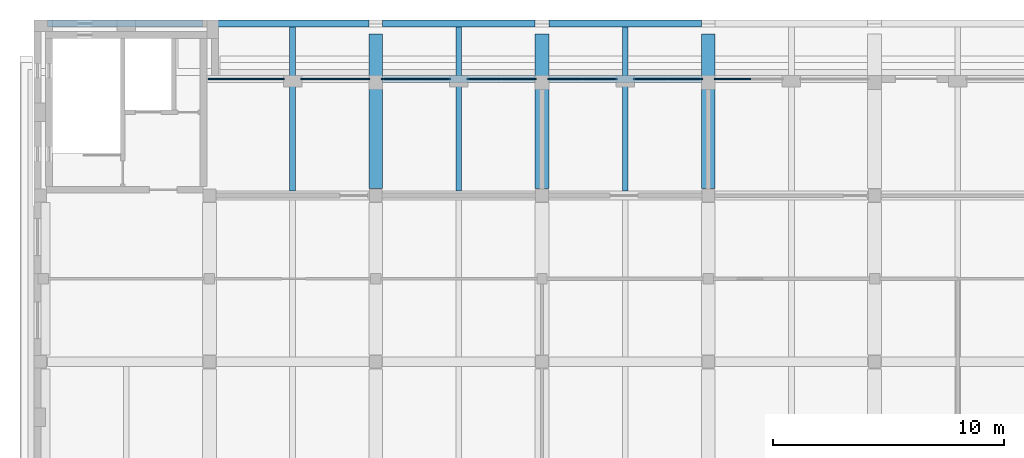
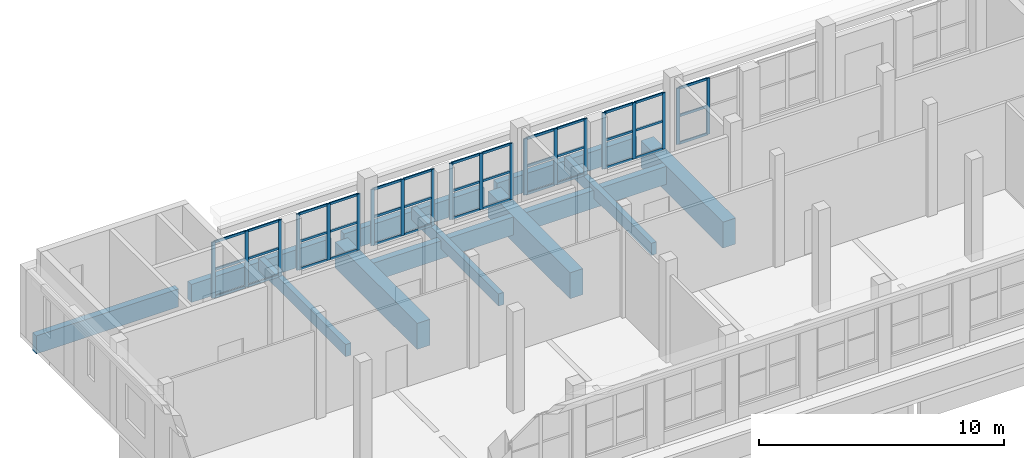
# One storey, part 4 of 30: 59 members, 12 beams, 7 elements without a shape of their own.
"""IFC4 building model written with IfcOpenShell, lengths in metres."""

from ifc_helpers import new_model, si_unit, direction, frame, origin, origin_2d, place, context, subcontext, project, spatial, rectangle, extrude, material, layer, layer_set, material_profile, profile_set, type_object, element, aggregate, save


model = new_model("IFC4")

# Units and contexts
model_context = context("Model", 3, precision=1e-05, world=origin(), true_north=direction((0.0, 1.0)))
body_context = subcontext(model_context, "Body", "Model", "MODEL_VIEW")
ifc_project = project(units=[si_unit("LENGTHUNIT", "METRE"), si_unit("AREAUNIT", "SQUARE_METRE"), si_unit("VOLUMEUNIT", "CUBIC_METRE"), si_unit("PLANEANGLEUNIT", "RADIAN"), si_unit("MASSUNIT", "GRAM", prefix="KILO")], contexts=[model_context])

# Site, building, storey
site_placement = place(None, origin())
site = spatial("IfcSite", under=ifc_project, at=site_placement, CompositionType="ELEMENT")
building_placement = place(site_placement, origin())
building = spatial("IfcBuilding", under=site, at=building_placement, Name="Ussher Court Research Institute", CompositionType="ELEMENT")
storey_placement = place(building_placement, frame((0.0, 0.0, 27.89990234375)))
storey = spatial("IfcBuildingStorey", under=building, at=storey_placement, Name="L06", CompositionType="ELEMENT", Elevation=27.89990234375)

# Curtain wall, members
ifc_material_1 = material(Name="Bronze anodised aluminium with insulated low-e glass", Category="aluminium")
ifc_layer = layer(ifc_material_1, 0.1201171875)
ifc_layer_set = layer_set([ifc_layer], Name="Bronze anodised aluminium with insulated low-e glass")
curtain_wall_type = type_object("IfcCurtainWallType", Name="Curtain wall attic gallery glazing", PredefinedType="NOTDEFINED", material=ifc_layer_set)
curtain_wall_1_placement = place(storey_placement, origin())
curtain_wall_1 = element("IfcCurtainWall", 1, at=curtain_wall_1_placement, inside=storey, type_object=curtain_wall_type, Name="Curtain wall CW11 L06", PredefinedType="NOTDEFINED")
ifc_material_2 = material(Name="Bronze anodised aluminium", Category="aluminium")
ifc_material_profile_1 = material_profile(ifc_material_2, rectangle(XDim=0.06005859375, YDim=0.159912109375, at=origin_2d()), Name="Mullion 60x160")
ifc_profile_set_1 = profile_set([ifc_material_profile_1], Name="Bronze anodised aluminium")
member_type_1 = type_object("IfcMemberType", Name="Mullion 60x160", PredefinedType="MULLION", material=ifc_profile_set_1)
member_1_placement = place(storey_placement, frame((10.22998046875, 88.25, 0.60009765625), z_axis=(0.0, 0.0, 1.0), x_axis=(0.0, 1.0, 0.0)))
member_1 = element("IfcMember", 2, at=member_1_placement, type_object=member_type_1, Name="CW11 mullion 1", PredefinedType="MULLION", context=body_context, shape_type="SweptSolid", body=[
    extrude(rectangle(XDim=0.06005859375, YDim=0.159912109375, at=origin_2d()), origin(), (0.0, 0.0, 1.0), 2.800048828125),
])
member_2_placement = place(storey_placement, frame((11.800048828125, 88.25, 0.60009765625), z_axis=(0.0, 0.0, 1.0), x_axis=(0.0, 1.0, 0.0)))
member_2 = element("IfcMember", 3, at=member_2_placement, type_object=member_type_1, Name="CW11 mullion 2", PredefinedType="MULLION", context=body_context, shape_type="SweptSolid", body=[
    extrude(rectangle(XDim=0.06005859375, YDim=0.159912109375, at=origin_2d()), origin(), (0.0, 0.0, 1.0), 2.800048828125),
])
member_3_placement = place(storey_placement, frame((13.3701171875, 88.25, 0.60009765625), z_axis=(0.0, 0.0, 1.0), x_axis=(0.0, 1.0, 0.0)))
member_3 = element("IfcMember", 4, at=member_3_placement, type_object=member_type_1, Name="CW11 mullion 3", PredefinedType="MULLION", context=body_context, shape_type="SweptSolid", body=[
    extrude(rectangle(XDim=0.06005859375, YDim=0.159912109375, at=origin_2d()), origin(), (0.0, 0.0, 1.0), 2.800048828125),
])

curtain_wall_2_placement = place(storey_placement, origin())
curtain_wall_2 = element("IfcCurtainWall", 5, at=curtain_wall_2_placement, inside=storey, type_object=curtain_wall_type, Name="Curtain wall CW11 L06", PredefinedType="NOTDEFINED")
member_4_placement = place(storey_placement, frame((14.22998046875, 88.25, 0.60009765625), z_axis=(0.0, 0.0, 1.0), x_axis=(0.0, 1.0, 0.0)))
member_4 = element("IfcMember", 6, at=member_4_placement, type_object=member_type_1, Name="CW11 mullion 1", PredefinedType="MULLION", context=body_context, shape_type="SweptSolid", body=[
    extrude(rectangle(XDim=0.06005859375, YDim=0.159912109375, at=origin_2d()), origin(), (0.0, 0.0, 1.0), 2.800048828125),
])
member_5_placement = place(storey_placement, frame((15.64990234375, 88.25, 0.60009765625), z_axis=(0.0, 0.0, 1.0), x_axis=(0.0, 1.0, 0.0)))
member_5 = element("IfcMember", 7, at=member_5_placement, type_object=member_type_1, Name="CW11 mullion 2", PredefinedType="MULLION", context=body_context, shape_type="SweptSolid", body=[
    extrude(rectangle(XDim=0.06005859375, YDim=0.159912109375, at=origin_2d()), origin(), (0.0, 0.0, 1.0), 2.800048828125),
])
member_6_placement = place(storey_placement, frame((17.070068359375, 88.25, 0.60009765625), z_axis=(0.0, 0.0, 1.0), x_axis=(0.0, 1.0, 0.0)))
member_6 = element("IfcMember", 8, at=member_6_placement, type_object=member_type_1, Name="CW11 mullion 3", PredefinedType="MULLION", context=body_context, shape_type="SweptSolid", body=[
    extrude(rectangle(XDim=0.06005859375, YDim=0.159912109375, at=origin_2d()), origin(), (0.0, 0.0, 1.0), 2.800048828125),
])

curtain_wall_3_placement = place(storey_placement, origin())
curtain_wall_3 = element("IfcCurtainWall", 9, at=curtain_wall_3_placement, inside=storey, type_object=curtain_wall_type, Name="Curtain wall CW11 L06", PredefinedType="NOTDEFINED")
member_7_placement = place(storey_placement, frame((17.72998046875, 88.25, 0.60009765625), z_axis=(0.0, 0.0, 1.0), x_axis=(0.0, 1.0, 0.0)))
member_7 = element("IfcMember", 10, at=member_7_placement, type_object=member_type_1, Name="CW11 mullion 1", PredefinedType="MULLION", context=body_context, shape_type="SweptSolid", body=[
    extrude(rectangle(XDim=0.06005859375, YDim=0.159912109375, at=origin_2d()), origin(), (0.0, 0.0, 1.0), 2.800048828125),
])
member_8_placement = place(storey_placement, frame((19.14990234375, 88.25, 0.60009765625), z_axis=(0.0, 0.0, 1.0), x_axis=(0.0, 1.0, 0.0)))
member_8 = element("IfcMember", 11, at=member_8_placement, type_object=member_type_1, Name="CW11 mullion 2", PredefinedType="MULLION", context=body_context, shape_type="SweptSolid", body=[
    extrude(rectangle(XDim=0.06005859375, YDim=0.159912109375, at=origin_2d()), origin(), (0.0, 0.0, 1.0), 2.800048828125),
])
member_9_placement = place(storey_placement, frame((20.570068359375, 88.25, 0.60009765625), z_axis=(0.0, 0.0, 1.0), x_axis=(0.0, 1.0, 0.0)))
member_9 = element("IfcMember", 12, at=member_9_placement, type_object=member_type_1, Name="CW11 mullion 3", PredefinedType="MULLION", context=body_context, shape_type="SweptSolid", body=[
    extrude(rectangle(XDim=0.06005859375, YDim=0.159912109375, at=origin_2d()), origin(), (0.0, 0.0, 1.0), 2.800048828125),
])

curtain_wall_4_placement = place(storey_placement, origin())
curtain_wall_4 = element("IfcCurtainWall", 13, at=curtain_wall_4_placement, inside=storey, type_object=curtain_wall_type, Name="Curtain wall CW11 L06", PredefinedType="NOTDEFINED")
member_10_placement = place(storey_placement, frame((21.429931640625, 88.25, 0.60009765625), z_axis=(0.0, 0.0, 1.0), x_axis=(0.0, 1.0, 0.0)))
member_10 = element("IfcMember", 14, at=member_10_placement, type_object=member_type_1, Name="CW11 mullion 1", PredefinedType="MULLION", context=body_context, shape_type="SweptSolid", body=[
    extrude(rectangle(XDim=0.06005859375, YDim=0.159912109375, at=origin_2d()), origin(), (0.0, 0.0, 1.0), 2.800048828125),
])
member_11_placement = place(storey_placement, frame((22.85009765625, 88.25, 0.60009765625), z_axis=(0.0, 0.0, 1.0), x_axis=(0.0, 1.0, 0.0)))
member_11 = element("IfcMember", 15, at=member_11_placement, type_object=member_type_1, Name="CW11 mullion 2", PredefinedType="MULLION", context=body_context, shape_type="SweptSolid", body=[
    extrude(rectangle(XDim=0.06005859375, YDim=0.159912109375, at=origin_2d()), origin(), (0.0, 0.0, 1.0), 2.800048828125),
])
member_12_placement = place(storey_placement, frame((24.27001953125, 88.25, 0.60009765625), z_axis=(0.0, 0.0, 1.0), x_axis=(0.0, 1.0, 0.0)))
member_12 = element("IfcMember", 16, at=member_12_placement, type_object=member_type_1, Name="CW11 mullion 3", PredefinedType="MULLION", context=body_context, shape_type="SweptSolid", body=[
    extrude(rectangle(XDim=0.06005859375, YDim=0.159912109375, at=origin_2d()), origin(), (0.0, 0.0, 1.0), 2.800048828125),
])

curtain_wall_5_placement = place(storey_placement, origin())
curtain_wall_5 = element("IfcCurtainWall", 17, at=curtain_wall_5_placement, inside=storey, type_object=curtain_wall_type, Name="Curtain wall CW11 L06", PredefinedType="NOTDEFINED")
member_13_placement = place(storey_placement, frame((24.929931640625, 88.25, 0.60009765625), z_axis=(0.0, 0.0, 1.0), x_axis=(0.0, 1.0, 0.0)))
member_13 = element("IfcMember", 18, at=member_13_placement, type_object=member_type_1, Name="CW11 mullion 1", PredefinedType="MULLION", context=body_context, shape_type="SweptSolid", body=[
    extrude(rectangle(XDim=0.06005859375, YDim=0.159912109375, at=origin_2d()), origin(), (0.0, 0.0, 1.0), 2.800048828125),
])
member_14_placement = place(storey_placement, frame((26.35009765625, 88.25, 0.60009765625), z_axis=(0.0, 0.0, 1.0), x_axis=(0.0, 1.0, 0.0)))
member_14 = element("IfcMember", 19, at=member_14_placement, type_object=member_type_1, Name="CW11 mullion 2", PredefinedType="MULLION", context=body_context, shape_type="SweptSolid", body=[
    extrude(rectangle(XDim=0.06005859375, YDim=0.159912109375, at=origin_2d()), origin(), (0.0, 0.0, 1.0), 2.800048828125),
])
member_15_placement = place(storey_placement, frame((27.77001953125, 88.25, 0.60009765625), z_axis=(0.0, 0.0, 1.0), x_axis=(0.0, 1.0, 0.0)))
member_15 = element("IfcMember", 20, at=member_15_placement, type_object=member_type_1, Name="CW11 mullion 3", PredefinedType="MULLION", context=body_context, shape_type="SweptSolid", body=[
    extrude(rectangle(XDim=0.06005859375, YDim=0.159912109375, at=origin_2d()), origin(), (0.0, 0.0, 1.0), 2.800048828125),
])

curtain_wall_6_placement = place(storey_placement, origin())
curtain_wall_6 = element("IfcCurtainWall", 21, at=curtain_wall_6_placement, inside=storey, type_object=curtain_wall_type, Name="Curtain wall CW11 L06", PredefinedType="NOTDEFINED")
member_16_placement = place(storey_placement, frame((28.6298828125, 88.25, 0.60009765625), z_axis=(0.0, 0.0, 1.0), x_axis=(0.0, 1.0, 0.0)))
member_16 = element("IfcMember", 22, at=member_16_placement, type_object=member_type_1, Name="CW11 mullion 1", PredefinedType="MULLION", context=body_context, shape_type="SweptSolid", body=[
    extrude(rectangle(XDim=0.06005859375, YDim=0.159912109375, at=origin_2d()), origin(), (0.0, 0.0, 1.0), 2.800048828125),
])
member_17_placement = place(storey_placement, frame((30.050048828125, 88.25, 0.60009765625), z_axis=(0.0, 0.0, 1.0), x_axis=(0.0, 1.0, 0.0)))
member_17 = element("IfcMember", 23, at=member_17_placement, type_object=member_type_1, Name="CW11 mullion 2", PredefinedType="MULLION", context=body_context, shape_type="SweptSolid", body=[
    extrude(rectangle(XDim=0.06005859375, YDim=0.159912109375, at=origin_2d()), origin(), (0.0, 0.0, 1.0), 2.800048828125),
])
member_18_placement = place(storey_placement, frame((31.469970703125, 88.25, 0.60009765625), z_axis=(0.0, 0.0, 1.0), x_axis=(0.0, 1.0, 0.0)))
member_18 = element("IfcMember", 24, at=member_18_placement, type_object=member_type_1, Name="CW11 mullion 3", PredefinedType="MULLION", context=body_context, shape_type="SweptSolid", body=[
    extrude(rectangle(XDim=0.06005859375, YDim=0.159912109375, at=origin_2d()), origin(), (0.0, 0.0, 1.0), 2.800048828125),
])

curtain_wall_7_placement = place(storey_placement, origin())
curtain_wall_7 = element("IfcCurtainWall", 25, at=curtain_wall_7_placement, inside=storey, type_object=curtain_wall_type, Name="Curtain wall CW11 L06", PredefinedType="NOTDEFINED")
member_19_placement = place(storey_placement, frame((32.1298828125, 88.25, 0.60009765625), z_axis=(0.0, 0.0, 1.0), x_axis=(0.0, 1.0, 0.0)))
member_19 = element("IfcMember", 26, at=member_19_placement, type_object=member_type_1, Name="CW11 mullion 1", PredefinedType="MULLION", context=body_context, shape_type="SweptSolid", body=[
    extrude(rectangle(XDim=0.06005859375, YDim=0.159912109375, at=origin_2d()), origin(), (0.0, 0.0, 1.0), 2.800048828125),
])
member_20_placement = place(storey_placement, frame((33.550048828125, 88.25, 0.60009765625), z_axis=(0.0, 0.0, 1.0), x_axis=(0.0, 1.0, 0.0)))
member_20 = element("IfcMember", 27, at=member_20_placement, type_object=member_type_1, Name="CW11 mullion 2", PredefinedType="MULLION", context=body_context, shape_type="SweptSolid", body=[
    extrude(rectangle(XDim=0.06005859375, YDim=0.159912109375, at=origin_2d()), origin(), (0.0, 0.0, 1.0), 2.800048828125),
])

# Beams
ifc_material_3 = material(Name="Concrete C35/45", Category="concrete")
ifc_material_profile_2 = material_profile(ifc_material_3, rectangle(XDim=0.25, YDim=0.60009765625, at=origin_2d()), Name="RC 250x600")
ifc_profile_set_2 = profile_set([ifc_material_profile_2], Name="Concrete C35/45")
beam_type_1 = type_object("IfcBeamType", Name="RC 250x600 beam", PredefinedType="BEAM", material=ifc_profile_set_2)
for number, where, z_axis, x_axis, name in (
    (28, (13.800048828125, 83.39990234375, -0.2998046875), (0.0, 1.0, 0.0), (-1.0, 0.0, 0.0), "B14 V5 L06-04"),
    (29, (21.0, 83.39990234375, -0.2998046875), (0.0, 1.0, 0.0), (-1.0, 0.0, 0.0), "B14 V5 L06-07"),
    (30, (28.199951171875, 83.39990234375, -0.2998046875), (0.0, 1.0, 0.0), (-1.0, 0.0, 0.0), "B14 V5 L06-10"),
):
    element("IfcBeam", number, at=place(storey_placement, frame(where, z_axis=z_axis, x_axis=x_axis)), inside=storey, type_object=beam_type_1, Name=name, PredefinedType="BEAM", context=body_context, shape_type="SweptSolid", body=[
        extrude(rectangle(XDim=0.25, YDim=0.60009765625, at=origin_2d()), origin(), (0.0, 0.0, 1.0), 7.10009765625),
    ])
ifc_material_4 = material(Name="Concrete C35/45", Category="concrete")
ifc_material_profile_3 = material_profile(ifc_material_4, rectangle(XDim=0.300048828125, YDim=0.89990234375, at=origin_2d()), Name="RC 300x900")
ifc_profile_set_3 = profile_set([ifc_material_profile_3], Name="Concrete C35/45")
beam_type_2 = type_object("IfcBeamType", Name="RC 300x900 beam", PredefinedType="BEAM", material=ifc_profile_set_3)
beam_placement = place(storey_placement, frame((3.199951171875, 90.64990234375, -0.64990234375), z_axis=(1.0, 0.0, 0.0), x_axis=(0.0, 1.0, 0.0)))
element("IfcBeam", 31, at=beam_placement, inside=storey, type_object=beam_type_2, Name="SB2 V5 L06-12", PredefinedType="BEAM", context=body_context, shape_type="SweptSolid", body=[
    extrude(rectangle(XDim=0.300048828125, YDim=0.89990234375, at=origin_2d()), origin(), (0.0, 0.0, 1.0), 6.699951171875),
])
for number, where, z_axis, x_axis, name in (
    (32, (10.5, 90.64990234375, -0.64990234375), (1.0, 0.0, 0.0), (0.0, 1.0, 0.0), "SB2 V5 L06-13"),
    (33, (17.699951171875, 90.64990234375, -0.64990234375), (1.0, 0.0, 0.0), (0.0, 1.0, 0.0), "SB2 V5 L06-14"),
    (34, (24.89990234375, 90.64990234375, -0.64990234375), (1.0, 0.0, 0.0), (0.0, 1.0, 0.0), "SB2 V5 L06-15"),
    (35, (17.699951171875, 88.25, -0.64990234375), (1.0, 0.0, 0.0), (0.0, 1.0, 0.0), "SB2 V5 L06-34"),
    (36, (24.89990234375, 88.25, -0.64990234375), (1.0, 0.0, 0.0), (0.0, 1.0, 0.0), "SB2 V5 L06-35"),
):
    element("IfcBeam", number, at=place(storey_placement, frame(where, z_axis=z_axis, x_axis=x_axis)), inside=storey, type_object=beam_type_2, Name=name, PredefinedType="BEAM", context=body_context, shape_type="SweptSolid", body=[
        extrude(rectangle(XDim=0.300048828125, YDim=0.89990234375, at=origin_2d()), origin(), (0.0, 0.0, 1.0), 6.60009765625),
    ])
ifc_material_5 = material(Name="Concrete C35/45", Category="concrete")
ifc_material_profile_4 = material_profile(ifc_material_5, rectangle(XDim=0.60009765625, YDim=1.300048828125, at=origin_2d()), Name="RC 600x1300")
ifc_profile_set_4 = profile_set([ifc_material_profile_4], Name="Concrete C35/45")
beam_type_3 = type_object("IfcBeamType", Name="RC 600x1300 beam", PredefinedType="BEAM", material=ifc_profile_set_4)
for number, where, z_axis, x_axis, name in (
    (37, (17.39990234375, 83.5, -0.849853515625), (0.0, 1.0, 0.0), (-1.0, 0.0, 0.0), "TB1 V5 L06-07"),
    (38, (24.60009765625, 83.5, -0.849853515625), (0.0, 1.0, 0.0), (-1.0, 0.0, 0.0), "TB1 V5 L06-10"),
    (39, (31.800048828125, 83.5, -0.849853515625), (0.0, 1.0, 0.0), (-1.0, 0.0, 0.0), "TB1 V5 L06-13"),
):
    element("IfcBeam", number, at=place(storey_placement, frame(where, z_axis=z_axis, x_axis=x_axis)), inside=storey, type_object=beam_type_3, Name=name, PredefinedType="BEAM", context=body_context, shape_type="SweptSolid", body=[
        extrude(rectangle(XDim=0.60009765625, YDim=1.300048828125, at=origin_2d()), origin(), (0.0, 0.0, 1.0), 6.699951171875),
    ])

# Member
ifc_material_6 = material(Name="Bronze anodised aluminium", Category="aluminium")
ifc_material_profile_5 = material_profile(ifc_material_6, rectangle(XDim=0.06005859375, YDim=0.1201171875, at=origin_2d()), Name="Transom 60x120")
ifc_profile_set_5 = profile_set([ifc_material_profile_5], Name="Bronze anodised aluminium")
member_type_2 = type_object("IfcMemberType", Name="Transom 60x120", PredefinedType="USERDEFINED", material=ifc_profile_set_5)
member_21_placement = place(storey_placement, frame((10.260009765625, 88.25, 0.630126953125), z_axis=(1.0, 0.0, 0.0), x_axis=(0.0, 1.0, 0.0)))
member_21 = element("IfcMember", 40, at=member_21_placement, type_object=member_type_2, Name="CW11 transom 1.1", ObjectType="TRANSOM", PredefinedType="USERDEFINED", context=body_context, shape_type="SweptSolid", body=[
    extrude(rectangle(XDim=0.06005859375, YDim=0.1201171875, at=origin_2d()), origin(), (0.0, 0.0, 1.0), 1.510009765625),
])

member_22_placement = place(storey_placement, frame((10.260009765625, 88.25, 2.0), z_axis=(1.0, 0.0, 0.0), x_axis=(0.0, 1.0, 0.0)))
member_22 = element("IfcMember", 41, at=member_22_placement, type_object=member_type_2, Name="CW11 transom 1.2", ObjectType="TRANSOM", PredefinedType="USERDEFINED", context=body_context, shape_type="SweptSolid", body=[
    extrude(rectangle(XDim=0.06005859375, YDim=0.1201171875, at=origin_2d()), origin(), (0.0, 0.0, 1.0), 1.510009765625),
])

member_23_placement = place(storey_placement, frame((10.260009765625, 88.25, 3.3701171875), z_axis=(1.0, 0.0, 0.0), x_axis=(0.0, 1.0, 0.0)))
member_23 = element("IfcMember", 42, at=member_23_placement, type_object=member_type_2, Name="CW11 transom 1.3", ObjectType="TRANSOM", PredefinedType="USERDEFINED", context=body_context, shape_type="SweptSolid", body=[
    extrude(rectangle(XDim=0.06005859375, YDim=0.1201171875, at=origin_2d()), origin(), (0.0, 0.0, 1.0), 1.510009765625),
])

member_24_placement = place(storey_placement, frame((11.830078125, 88.25, 0.630126953125), z_axis=(1.0, 0.0, 0.0), x_axis=(0.0, 1.0, 0.0)))
member_24 = element("IfcMember", 43, at=member_24_placement, type_object=member_type_2, Name="CW11 transom 2.1", ObjectType="TRANSOM", PredefinedType="USERDEFINED", context=body_context, shape_type="SweptSolid", body=[
    extrude(rectangle(XDim=0.06005859375, YDim=0.1201171875, at=origin_2d()), origin(), (0.0, 0.0, 1.0), 1.510009765625),
])

member_25_placement = place(storey_placement, frame((11.830078125, 88.25, 2.0), z_axis=(1.0, 0.0, 0.0), x_axis=(0.0, 1.0, 0.0)))
member_25 = element("IfcMember", 44, at=member_25_placement, type_object=member_type_2, Name="CW11 transom 2.2", ObjectType="TRANSOM", PredefinedType="USERDEFINED", context=body_context, shape_type="SweptSolid", body=[
    extrude(rectangle(XDim=0.06005859375, YDim=0.1201171875, at=origin_2d()), origin(), (0.0, 0.0, 1.0), 1.510009765625),
])

member_26_placement = place(storey_placement, frame((11.830078125, 88.25, 3.3701171875), z_axis=(1.0, 0.0, 0.0), x_axis=(0.0, 1.0, 0.0)))
member_26 = element("IfcMember", 45, at=member_26_placement, type_object=member_type_2, Name="CW11 transom 2.3", ObjectType="TRANSOM", PredefinedType="USERDEFINED", context=body_context, shape_type="SweptSolid", body=[
    extrude(rectangle(XDim=0.06005859375, YDim=0.1201171875, at=origin_2d()), origin(), (0.0, 0.0, 1.0), 1.510009765625),
])

aggregate(curtain_wall_1, [member_1, member_2, member_3, member_21, member_22, member_23, member_24, member_25, member_26])

member_27_placement = place(storey_placement, frame((14.260009765625, 88.25, 0.630126953125), z_axis=(1.0, 0.0, 0.0), x_axis=(0.0, 1.0, 0.0)))
member_27 = element("IfcMember", 46, at=member_27_placement, type_object=member_type_2, Name="CW11 transom 1.1", ObjectType="TRANSOM", PredefinedType="USERDEFINED", context=body_context, shape_type="SweptSolid", body=[
    extrude(rectangle(XDim=0.06005859375, YDim=0.1201171875, at=origin_2d()), origin(), (0.0, 0.0, 1.0), 1.360107421875),
])

member_28_placement = place(storey_placement, frame((14.260009765625, 88.25, 2.0), z_axis=(1.0, 0.0, 0.0), x_axis=(0.0, 1.0, 0.0)))
member_28 = element("IfcMember", 47, at=member_28_placement, type_object=member_type_2, Name="CW11 transom 1.2", ObjectType="TRANSOM", PredefinedType="USERDEFINED", context=body_context, shape_type="SweptSolid", body=[
    extrude(rectangle(XDim=0.06005859375, YDim=0.1201171875, at=origin_2d()), origin(), (0.0, 0.0, 1.0), 1.360107421875),
])

member_29_placement = place(storey_placement, frame((14.260009765625, 88.25, 3.3701171875), z_axis=(1.0, 0.0, 0.0), x_axis=(0.0, 1.0, 0.0)))
member_29 = element("IfcMember", 48, at=member_29_placement, type_object=member_type_2, Name="CW11 transom 1.3", ObjectType="TRANSOM", PredefinedType="USERDEFINED", context=body_context, shape_type="SweptSolid", body=[
    extrude(rectangle(XDim=0.06005859375, YDim=0.1201171875, at=origin_2d()), origin(), (0.0, 0.0, 1.0), 1.360107421875),
])

member_30_placement = place(storey_placement, frame((15.679931640625, 88.25, 0.630126953125), z_axis=(1.0, 0.0, 0.0), x_axis=(0.0, 1.0, 0.0)))
member_30 = element("IfcMember", 49, at=member_30_placement, type_object=member_type_2, Name="CW11 transom 2.1", ObjectType="TRANSOM", PredefinedType="USERDEFINED", context=body_context, shape_type="SweptSolid", body=[
    extrude(rectangle(XDim=0.06005859375, YDim=0.1201171875, at=origin_2d()), origin(), (0.0, 0.0, 1.0), 1.360107421875),
])

member_31_placement = place(storey_placement, frame((15.679931640625, 88.25, 2.0), z_axis=(1.0, 0.0, 0.0), x_axis=(0.0, 1.0, 0.0)))
member_31 = element("IfcMember", 50, at=member_31_placement, type_object=member_type_2, Name="CW11 transom 2.2", ObjectType="TRANSOM", PredefinedType="USERDEFINED", context=body_context, shape_type="SweptSolid", body=[
    extrude(rectangle(XDim=0.06005859375, YDim=0.1201171875, at=origin_2d()), origin(), (0.0, 0.0, 1.0), 1.360107421875),
])

member_32_placement = place(storey_placement, frame((15.679931640625, 88.25, 3.3701171875), z_axis=(1.0, 0.0, 0.0), x_axis=(0.0, 1.0, 0.0)))
member_32 = element("IfcMember", 51, at=member_32_placement, type_object=member_type_2, Name="CW11 transom 2.3", ObjectType="TRANSOM", PredefinedType="USERDEFINED", context=body_context, shape_type="SweptSolid", body=[
    extrude(rectangle(XDim=0.06005859375, YDim=0.1201171875, at=origin_2d()), origin(), (0.0, 0.0, 1.0), 1.360107421875),
])

aggregate(curtain_wall_2, [member_4, member_5, member_6, member_27, member_28, member_29, member_30, member_31, member_32])

member_33_placement = place(storey_placement, frame((17.760009765625, 88.25, 0.630126953125), z_axis=(1.0, 0.0, 0.0), x_axis=(0.0, 1.0, 0.0)))
member_33 = element("IfcMember", 52, at=member_33_placement, type_object=member_type_2, Name="CW11 transom 1.1", ObjectType="TRANSOM", PredefinedType="USERDEFINED", context=body_context, shape_type="SweptSolid", body=[
    extrude(rectangle(XDim=0.06005859375, YDim=0.1201171875, at=origin_2d()), origin(), (0.0, 0.0, 1.0), 1.360107421875),
])

member_34_placement = place(storey_placement, frame((17.760009765625, 88.25, 2.0), z_axis=(1.0, 0.0, 0.0), x_axis=(0.0, 1.0, 0.0)))
member_34 = element("IfcMember", 53, at=member_34_placement, type_object=member_type_2, Name="CW11 transom 1.2", ObjectType="TRANSOM", PredefinedType="USERDEFINED", context=body_context, shape_type="SweptSolid", body=[
    extrude(rectangle(XDim=0.06005859375, YDim=0.1201171875, at=origin_2d()), origin(), (0.0, 0.0, 1.0), 1.360107421875),
])

member_35_placement = place(storey_placement, frame((17.760009765625, 88.25, 3.3701171875), z_axis=(1.0, 0.0, 0.0), x_axis=(0.0, 1.0, 0.0)))
member_35 = element("IfcMember", 54, at=member_35_placement, type_object=member_type_2, Name="CW11 transom 1.3", ObjectType="TRANSOM", PredefinedType="USERDEFINED", context=body_context, shape_type="SweptSolid", body=[
    extrude(rectangle(XDim=0.06005859375, YDim=0.1201171875, at=origin_2d()), origin(), (0.0, 0.0, 1.0), 1.360107421875),
])

member_36_placement = place(storey_placement, frame((19.179931640625, 88.25, 0.630126953125), z_axis=(1.0, 0.0, 0.0), x_axis=(0.0, 1.0, 0.0)))
member_36 = element("IfcMember", 55, at=member_36_placement, type_object=member_type_2, Name="CW11 transom 2.1", ObjectType="TRANSOM", PredefinedType="USERDEFINED", context=body_context, shape_type="SweptSolid", body=[
    extrude(rectangle(XDim=0.06005859375, YDim=0.1201171875, at=origin_2d()), origin(), (0.0, 0.0, 1.0), 1.360107421875),
])

member_37_placement = place(storey_placement, frame((19.179931640625, 88.25, 2.0), z_axis=(1.0, 0.0, 0.0), x_axis=(0.0, 1.0, 0.0)))
member_37 = element("IfcMember", 56, at=member_37_placement, type_object=member_type_2, Name="CW11 transom 2.2", ObjectType="TRANSOM", PredefinedType="USERDEFINED", context=body_context, shape_type="SweptSolid", body=[
    extrude(rectangle(XDim=0.06005859375, YDim=0.1201171875, at=origin_2d()), origin(), (0.0, 0.0, 1.0), 1.360107421875),
])

member_38_placement = place(storey_placement, frame((19.179931640625, 88.25, 3.3701171875), z_axis=(1.0, 0.0, 0.0), x_axis=(0.0, 1.0, 0.0)))
member_38 = element("IfcMember", 57, at=member_38_placement, type_object=member_type_2, Name="CW11 transom 2.3", ObjectType="TRANSOM", PredefinedType="USERDEFINED", context=body_context, shape_type="SweptSolid", body=[
    extrude(rectangle(XDim=0.06005859375, YDim=0.1201171875, at=origin_2d()), origin(), (0.0, 0.0, 1.0), 1.360107421875),
])

aggregate(curtain_wall_3, [member_7, member_8, member_9, member_33, member_34, member_35, member_36, member_37, member_38])

member_39_placement = place(storey_placement, frame((21.4599609375, 88.25, 0.630126953125), z_axis=(1.0, 0.0, 0.0), x_axis=(0.0, 1.0, 0.0)))
member_39 = element("IfcMember", 58, at=member_39_placement, type_object=member_type_2, Name="CW11 transom 1.1", ObjectType="TRANSOM", PredefinedType="USERDEFINED", context=body_context, shape_type="SweptSolid", body=[
    extrude(rectangle(XDim=0.06005859375, YDim=0.1201171875, at=origin_2d()), origin(), (0.0, 0.0, 1.0), 1.360107421875),
])

member_40_placement = place(storey_placement, frame((21.4599609375, 88.25, 2.0), z_axis=(1.0, 0.0, 0.0), x_axis=(0.0, 1.0, 0.0)))
member_40 = element("IfcMember", 59, at=member_40_placement, type_object=member_type_2, Name="CW11 transom 1.2", ObjectType="TRANSOM", PredefinedType="USERDEFINED", context=body_context, shape_type="SweptSolid", body=[
    extrude(rectangle(XDim=0.06005859375, YDim=0.1201171875, at=origin_2d()), origin(), (0.0, 0.0, 1.0), 1.360107421875),
])

member_41_placement = place(storey_placement, frame((21.4599609375, 88.25, 3.3701171875), z_axis=(1.0, 0.0, 0.0), x_axis=(0.0, 1.0, 0.0)))
member_41 = element("IfcMember", 60, at=member_41_placement, type_object=member_type_2, Name="CW11 transom 1.3", ObjectType="TRANSOM", PredefinedType="USERDEFINED", context=body_context, shape_type="SweptSolid", body=[
    extrude(rectangle(XDim=0.06005859375, YDim=0.1201171875, at=origin_2d()), origin(), (0.0, 0.0, 1.0), 1.360107421875),
])

member_42_placement = place(storey_placement, frame((22.8798828125, 88.25, 0.630126953125), z_axis=(1.0, 0.0, 0.0), x_axis=(0.0, 1.0, 0.0)))
member_42 = element("IfcMember", 61, at=member_42_placement, type_object=member_type_2, Name="CW11 transom 2.1", ObjectType="TRANSOM", PredefinedType="USERDEFINED", context=body_context, shape_type="SweptSolid", body=[
    extrude(rectangle(XDim=0.06005859375, YDim=0.1201171875, at=origin_2d()), origin(), (0.0, 0.0, 1.0), 1.360107421875),
])

member_43_placement = place(storey_placement, frame((22.8798828125, 88.25, 2.0), z_axis=(1.0, 0.0, 0.0), x_axis=(0.0, 1.0, 0.0)))
member_43 = element("IfcMember", 62, at=member_43_placement, type_object=member_type_2, Name="CW11 transom 2.2", ObjectType="TRANSOM", PredefinedType="USERDEFINED", context=body_context, shape_type="SweptSolid", body=[
    extrude(rectangle(XDim=0.06005859375, YDim=0.1201171875, at=origin_2d()), origin(), (0.0, 0.0, 1.0), 1.360107421875),
])

member_44_placement = place(storey_placement, frame((22.8798828125, 88.25, 3.3701171875), z_axis=(1.0, 0.0, 0.0), x_axis=(0.0, 1.0, 0.0)))
member_44 = element("IfcMember", 63, at=member_44_placement, type_object=member_type_2, Name="CW11 transom 2.3", ObjectType="TRANSOM", PredefinedType="USERDEFINED", context=body_context, shape_type="SweptSolid", body=[
    extrude(rectangle(XDim=0.06005859375, YDim=0.1201171875, at=origin_2d()), origin(), (0.0, 0.0, 1.0), 1.360107421875),
])

aggregate(curtain_wall_4, [member_10, member_11, member_12, member_39, member_40, member_41, member_42, member_43, member_44])

member_45_placement = place(storey_placement, frame((24.9599609375, 88.25, 0.630126953125), z_axis=(1.0, 0.0, 0.0), x_axis=(0.0, 1.0, 0.0)))
member_45 = element("IfcMember", 64, at=member_45_placement, type_object=member_type_2, Name="CW11 transom 1.1", ObjectType="TRANSOM", PredefinedType="USERDEFINED", context=body_context, shape_type="SweptSolid", body=[
    extrude(rectangle(XDim=0.06005859375, YDim=0.1201171875, at=origin_2d()), origin(), (0.0, 0.0, 1.0), 1.360107421875),
])

member_46_placement = place(storey_placement, frame((24.9599609375, 88.25, 2.0), z_axis=(1.0, 0.0, 0.0), x_axis=(0.0, 1.0, 0.0)))
member_46 = element("IfcMember", 65, at=member_46_placement, type_object=member_type_2, Name="CW11 transom 1.2", ObjectType="TRANSOM", PredefinedType="USERDEFINED", context=body_context, shape_type="SweptSolid", body=[
    extrude(rectangle(XDim=0.06005859375, YDim=0.1201171875, at=origin_2d()), origin(), (0.0, 0.0, 1.0), 1.360107421875),
])

member_47_placement = place(storey_placement, frame((24.9599609375, 88.25, 3.3701171875), z_axis=(1.0, 0.0, 0.0), x_axis=(0.0, 1.0, 0.0)))
member_47 = element("IfcMember", 66, at=member_47_placement, type_object=member_type_2, Name="CW11 transom 1.3", ObjectType="TRANSOM", PredefinedType="USERDEFINED", context=body_context, shape_type="SweptSolid", body=[
    extrude(rectangle(XDim=0.06005859375, YDim=0.1201171875, at=origin_2d()), origin(), (0.0, 0.0, 1.0), 1.360107421875),
])

member_48_placement = place(storey_placement, frame((26.3798828125, 88.25, 0.630126953125), z_axis=(1.0, 0.0, 0.0), x_axis=(0.0, 1.0, 0.0)))
member_48 = element("IfcMember", 67, at=member_48_placement, type_object=member_type_2, Name="CW11 transom 2.1", ObjectType="TRANSOM", PredefinedType="USERDEFINED", context=body_context, shape_type="SweptSolid", body=[
    extrude(rectangle(XDim=0.06005859375, YDim=0.1201171875, at=origin_2d()), origin(), (0.0, 0.0, 1.0), 1.360107421875),
])

member_49_placement = place(storey_placement, frame((26.3798828125, 88.25, 2.0), z_axis=(1.0, 0.0, 0.0), x_axis=(0.0, 1.0, 0.0)))
member_49 = element("IfcMember", 68, at=member_49_placement, type_object=member_type_2, Name="CW11 transom 2.2", ObjectType="TRANSOM", PredefinedType="USERDEFINED", context=body_context, shape_type="SweptSolid", body=[
    extrude(rectangle(XDim=0.06005859375, YDim=0.1201171875, at=origin_2d()), origin(), (0.0, 0.0, 1.0), 1.360107421875),
])

member_50_placement = place(storey_placement, frame((26.3798828125, 88.25, 3.3701171875), z_axis=(1.0, 0.0, 0.0), x_axis=(0.0, 1.0, 0.0)))
member_50 = element("IfcMember", 69, at=member_50_placement, type_object=member_type_2, Name="CW11 transom 2.3", ObjectType="TRANSOM", PredefinedType="USERDEFINED", context=body_context, shape_type="SweptSolid", body=[
    extrude(rectangle(XDim=0.06005859375, YDim=0.1201171875, at=origin_2d()), origin(), (0.0, 0.0, 1.0), 1.360107421875),
])

aggregate(curtain_wall_5, [member_13, member_14, member_15, member_45, member_46, member_47, member_48, member_49, member_50])

member_51_placement = place(storey_placement, frame((28.659912109375, 88.25, 0.630126953125), z_axis=(1.0, 0.0, 0.0), x_axis=(0.0, 1.0, 0.0)))
member_51 = element("IfcMember", 70, at=member_51_placement, type_object=member_type_2, Name="CW11 transom 1.1", ObjectType="TRANSOM", PredefinedType="USERDEFINED", context=body_context, shape_type="SweptSolid", body=[
    extrude(rectangle(XDim=0.06005859375, YDim=0.1201171875, at=origin_2d()), origin(), (0.0, 0.0, 1.0), 1.360107421875),
])

member_52_placement = place(storey_placement, frame((28.659912109375, 88.25, 2.0), z_axis=(1.0, 0.0, 0.0), x_axis=(0.0, 1.0, 0.0)))
member_52 = element("IfcMember", 71, at=member_52_placement, type_object=member_type_2, Name="CW11 transom 1.2", ObjectType="TRANSOM", PredefinedType="USERDEFINED", context=body_context, shape_type="SweptSolid", body=[
    extrude(rectangle(XDim=0.06005859375, YDim=0.1201171875, at=origin_2d()), origin(), (0.0, 0.0, 1.0), 1.360107421875),
])

member_53_placement = place(storey_placement, frame((28.659912109375, 88.25, 3.3701171875), z_axis=(1.0, 0.0, 0.0), x_axis=(0.0, 1.0, 0.0)))
member_53 = element("IfcMember", 72, at=member_53_placement, type_object=member_type_2, Name="CW11 transom 1.3", ObjectType="TRANSOM", PredefinedType="USERDEFINED", context=body_context, shape_type="SweptSolid", body=[
    extrude(rectangle(XDim=0.06005859375, YDim=0.1201171875, at=origin_2d()), origin(), (0.0, 0.0, 1.0), 1.360107421875),
])

member_54_placement = place(storey_placement, frame((30.080078125, 88.25, 0.630126953125), z_axis=(1.0, 0.0, 0.0), x_axis=(0.0, 1.0, 0.0)))
member_54 = element("IfcMember", 73, at=member_54_placement, type_object=member_type_2, Name="CW11 transom 2.1", ObjectType="TRANSOM", PredefinedType="USERDEFINED", context=body_context, shape_type="SweptSolid", body=[
    extrude(rectangle(XDim=0.06005859375, YDim=0.1201171875, at=origin_2d()), origin(), (0.0, 0.0, 1.0), 1.35986328125),
])

member_55_placement = place(storey_placement, frame((30.080078125, 88.25, 2.0), z_axis=(1.0, 0.0, 0.0), x_axis=(0.0, 1.0, 0.0)))
member_55 = element("IfcMember", 74, at=member_55_placement, type_object=member_type_2, Name="CW11 transom 2.2", ObjectType="TRANSOM", PredefinedType="USERDEFINED", context=body_context, shape_type="SweptSolid", body=[
    extrude(rectangle(XDim=0.06005859375, YDim=0.1201171875, at=origin_2d()), origin(), (0.0, 0.0, 1.0), 1.35986328125),
])

member_56_placement = place(storey_placement, frame((30.080078125, 88.25, 3.3701171875), z_axis=(1.0, 0.0, 0.0), x_axis=(0.0, 1.0, 0.0)))
member_56 = element("IfcMember", 75, at=member_56_placement, type_object=member_type_2, Name="CW11 transom 2.3", ObjectType="TRANSOM", PredefinedType="USERDEFINED", context=body_context, shape_type="SweptSolid", body=[
    extrude(rectangle(XDim=0.06005859375, YDim=0.1201171875, at=origin_2d()), origin(), (0.0, 0.0, 1.0), 1.35986328125),
])

aggregate(curtain_wall_6, [member_16, member_17, member_18, member_51, member_52, member_53, member_54, member_55, member_56])

member_57_placement = place(storey_placement, frame((32.159912109375, 88.25, 0.630126953125), z_axis=(1.0, 0.0, 0.0), x_axis=(0.0, 1.0, 0.0)))
member_57 = element("IfcMember", 76, at=member_57_placement, type_object=member_type_2, Name="CW11 transom 1.1", ObjectType="TRANSOM", PredefinedType="USERDEFINED", context=body_context, shape_type="SweptSolid", body=[
    extrude(rectangle(XDim=0.06005859375, YDim=0.1201171875, at=origin_2d()), origin(), (0.0, 0.0, 1.0), 1.360107421875),
])

member_58_placement = place(storey_placement, frame((32.159912109375, 88.25, 2.0), z_axis=(1.0, 0.0, 0.0), x_axis=(0.0, 1.0, 0.0)))
member_58 = element("IfcMember", 77, at=member_58_placement, type_object=member_type_2, Name="CW11 transom 1.2", ObjectType="TRANSOM", PredefinedType="USERDEFINED", context=body_context, shape_type="SweptSolid", body=[
    extrude(rectangle(XDim=0.06005859375, YDim=0.1201171875, at=origin_2d()), origin(), (0.0, 0.0, 1.0), 1.360107421875),
])

member_59_placement = place(storey_placement, frame((32.159912109375, 88.25, 3.3701171875), z_axis=(1.0, 0.0, 0.0), x_axis=(0.0, 1.0, 0.0)))
member_59 = element("IfcMember", 78, at=member_59_placement, type_object=member_type_2, Name="CW11 transom 1.3", ObjectType="TRANSOM", PredefinedType="USERDEFINED", context=body_context, shape_type="SweptSolid", body=[
    extrude(rectangle(XDim=0.06005859375, YDim=0.1201171875, at=origin_2d()), origin(), (0.0, 0.0, 1.0), 1.360107421875),
])

aggregate(curtain_wall_7, [member_19, member_20, member_57, member_58, member_59])

save(model, "model.ifc")
